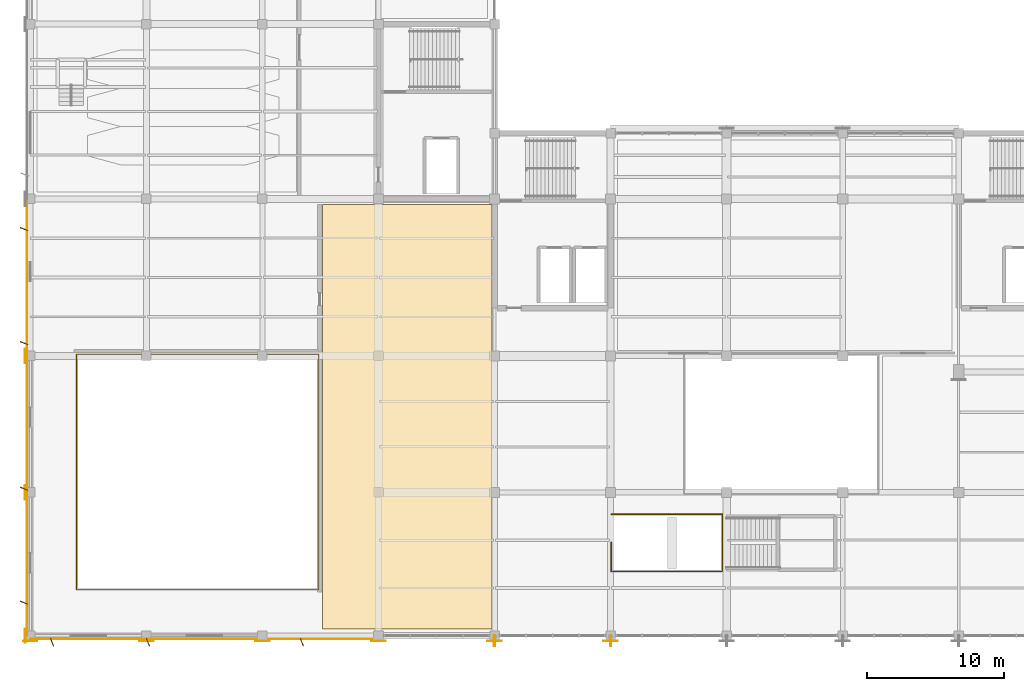
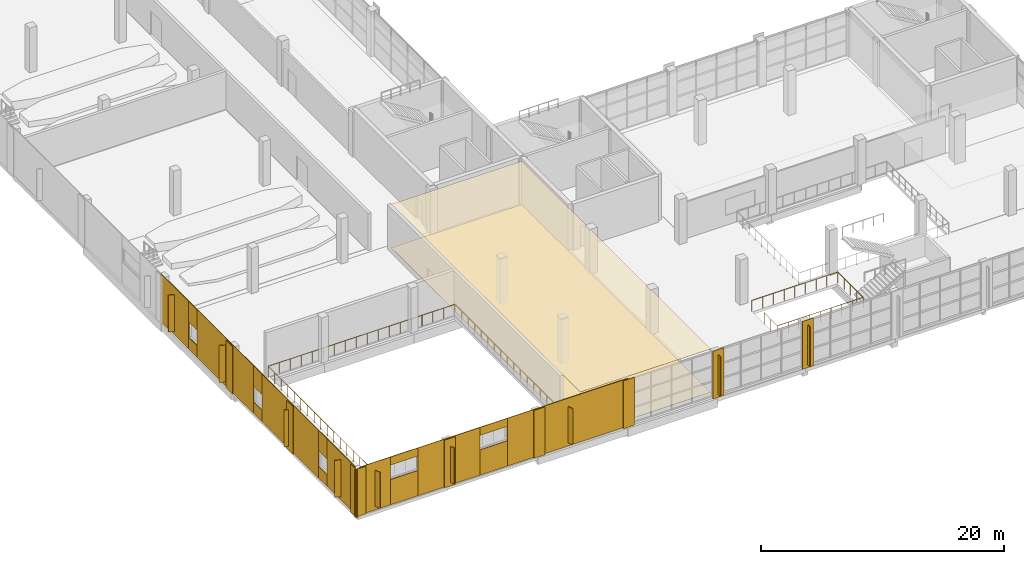
# One storey, part 99 of 112: 35 coverings, 2 railings, 2 shading devices.
"""IFC4 building model written with IfcOpenShell, lengths in metres."""

from ifc_helpers import new_model, si_unit, direction, frame, origin, origin_2d, place, context, subcontext, project, spatial, polyline, rectangle, hollow_rectangle, circle, outline, extrude, material, layer, layer_set, material_profile, profile_set, type_object, element, save


model = new_model("IFC4")

# Units and contexts
model_context = context("Model", 3, precision=1e-05, world=origin(), true_north=direction((0.0, 1.0)))
body_context = subcontext(model_context, "Body", "Model", "MODEL_VIEW")
ifc_project = project(units=[si_unit("LENGTHUNIT", "METRE"), si_unit("AREAUNIT", "SQUARE_METRE"), si_unit("VOLUMEUNIT", "CUBIC_METRE"), si_unit("PLANEANGLEUNIT", "RADIAN"), si_unit("MASSUNIT", "GRAM", prefix="KILO")], contexts=[model_context])

# Site, building, storey
site_placement = place(None, origin())
site = spatial("IfcSite", under=ifc_project, at=site_placement, CompositionType="ELEMENT")
building_placement = place(site_placement, origin())
building = spatial("IfcBuilding", under=site, at=building_placement, Name="Solvikara Media Centre", CompositionType="ELEMENT")
storey_placement = place(building_placement, frame((0.0, 0.0, 5.39990234375)))
storey = spatial("IfcBuildingStorey", under=building, at=storey_placement, Name="L01", CompositionType="ELEMENT", Elevation=5.39990234375)

# Coverings
ifc_material_1 = material(Name="Perforated acoustic gypsum ceiling board")
ifc_layer_1 = layer(ifc_material_1, 0.0400390625)
ifc_layer_set_1 = layer_set([ifc_layer_1], Name="Perforated acoustic gypsum ceiling board")
covering_type_1 = type_object("IfcCoveringType", Name="CV-01", PredefinedType="CEILING", material=ifc_layer_set_1)
covering_1_placement = place(storey_placement, frame((0.0, 0.0, 4.35009765625)))
element("IfcCovering", 1, at=covering_1_placement, inside=storey, type_object=covering_type_1, Name="CLG-016", PredefinedType="CEILING", context=body_context, shape_type="SweptSolid", body=[
    extrude(outline(polyline([(21.39990234375, 0.5), (33.800048828125, 0.5), (33.800048828125, 31.60009765625), (21.39990234375, 31.60009765625), (21.39990234375, 0.5)])), origin(), (0.0, 0.0, 1.0), 0.0400390625),
])
ifc_material_2 = material(Name="Polished terrazzo floor finish")
ifc_layer_2 = layer(ifc_material_2, 0.030029296875)
ifc_layer_set_2 = layer_set([ifc_layer_2], Name="Polished terrazzo floor finish")
covering_type_2 = type_object("IfcCoveringType", Name="CV-02", PredefinedType="FLOORING", material=ifc_layer_set_2)
covering_2_placement = place(storey_placement, origin())
element("IfcCovering", 2, at=covering_2_placement, inside=storey, type_object=covering_type_2, Name="FLR-016", PredefinedType="FLOORING", context=body_context, shape_type="SweptSolid", body=[
    extrude(outline(polyline([(21.39990234375, 0.5), (33.800048828125, 0.5), (33.800048828125, 31.60009765625), (21.39990234375, 31.60009765625), (21.39990234375, 0.5)])), origin(), (0.0, 0.0, 1.0), 0.030029296875),
])
ifc_material_3 = material(Name="GFRC white mineral architectural rainscreen panel")
ifc_layer_3 = layer(ifc_material_3, 0.050048828125)
ifc_layer_set_3 = layer_set([ifc_layer_3], Name="GFRC white mineral architectural rainscreen panel")
covering_type_3 = type_object("IfcCoveringType", Name="CV-04", PredefinedType="CLADDING", material=ifc_layer_set_3)
for number, where, z_axis, x_axis, name in (
    (3, (-0.375, 0.0, 0.0), (0.0, 0.0, 1.0), (0.0, -1.0, 0.0), "PIL-L01-003"),
    (4, (0.0, -0.375, 0.0), (0.0, 0.0, 1.0), (1.0, 0.0, 0.0), "PIL-L01-004"),
    (5, (-0.375, 10.5, 0.0), (0.0, 0.0, 1.0), (0.0, -1.0, 0.0), "PIL-L01-008"),
    (6, (-0.375, 20.5, 0.0), (0.0, 0.0, 1.0), (0.0, -1.0, 0.0), "PIL-L01-011"),
    (7, (8.5, -0.375, 0.0), (0.0, 0.0, 1.0), (1.0, 0.0, 0.0), "PIL-L01-049"),
    (8, (17.0, -0.375, 0.0), (0.0, 0.0, 1.0), (1.0, 0.0, 0.0), "PIL-L01-056"),
    (9, (25.5, -0.375, 0.0), (0.0, 0.0, 1.0), (1.0, 0.0, 0.0), "PIL-L01-063"),
    (10, (34.0, -0.375, 0.0), (0.0, 0.0, 1.0), (1.0, 0.0, 0.0), "PIL-L01-097"),
    (11, (42.5, -0.375, 0.0), (0.0, 0.0, 1.0), (1.0, 0.0, 0.0), "PIL-L01-108"),
):
    element("IfcCovering", number, at=place(storey_placement, frame(where, z_axis=z_axis, x_axis=x_axis)), inside=storey, type_object=covering_type_3, Name=name, PredefinedType="CLADDING", context=body_context, shape_type="SweptSolid", body=[
        extrude(rectangle(XDim=1.0400390625, YDim=0.050048828125, at=origin_2d()), origin(), (0.0, 0.0, 1.0), 4.800048828125),
    ])
covering_3_placement = place(storey_placement, frame((1.47509765625, -0.2451171875, 0.0), z_axis=(0.0, 0.0, 1.0), x_axis=(1.0, 0.0, 0.0)))
element("IfcCovering", 12, at=covering_3_placement, inside=storey, type_object=covering_type_3, Name="L01-V1S-CV-F01", PredefinedType="CLADDING", context=body_context, shape_type="SweptSolid", body=[
    extrude(rectangle(XDim=2.949951171875, YDim=0.050048828125, at=origin_2d()), origin(), (0.0, 0.0, 1.0), 4.800048828125),
])
covering_4_placement = place(storey_placement, frame((1.5849609375, -0.469970703125, 0.35009765625), z_axis=(0.0, 0.0, 1.0), x_axis=(0.3656566557, -0.930749810713, 0.0)))
element("IfcCovering", 13, at=covering_4_placement, inside=storey, type_object=covering_type_3, Name="L01-V1S-FIN-01", PredefinedType="CLADDING", context=body_context, shape_type="SweptSolid", body=[
    extrude(rectangle(XDim=0.60205078125, YDim=0.050048828125, at=origin_2d()), origin(), (0.0, 0.0, 1.0), 3.6279296875),
])
covering_5_placement = place(storey_placement, frame((4.25, -0.2451171875, 0.0), z_axis=(0.0, 0.0, 1.0), x_axis=(1.0, 0.0, 0.0)))
element("IfcCovering", 14, at=covering_5_placement, inside=storey, type_object=covering_type_3, Name="L01-V1S-CV-S02", PredefinedType="CLADDING", context=body_context, shape_type="SweptSolid", body=[
    extrude(rectangle(XDim=2.60009765625, YDim=0.050048828125, at=origin_2d()), origin(), (0.0, 0.0, 1.0), 2.5380859375),
])
covering_6_placement = place(storey_placement, frame((4.25, -0.2451171875, 3.998046875), z_axis=(0.0, 0.0, 1.0), x_axis=(1.0, 0.0, 0.0)))
element("IfcCovering", 15, at=covering_6_placement, inside=storey, type_object=covering_type_3, Name="L01-V1S-CV-H02", PredefinedType="CLADDING", context=body_context, shape_type="SweptSolid", body=[
    extrude(rectangle(XDim=2.60009765625, YDim=0.050048828125, at=origin_2d()), origin(), (0.0, 0.0, 1.0), 0.802001953125),
])
covering_7_placement = place(storey_placement, frame((8.5, -0.2451171875, 0.0), z_axis=(0.0, 0.0, 1.0), x_axis=(1.0, 0.0, 0.0)))
element("IfcCovering", 16, at=covering_7_placement, inside=storey, type_object=covering_type_3, Name="L01-V1S-CV-F03", PredefinedType="CLADDING", context=body_context, shape_type="SweptSolid", body=[
    extrude(rectangle(XDim=5.89990234375, YDim=0.050048828125, at=origin_2d()), origin(), (0.0, 0.0, 1.0), 4.800048828125),
])
covering_8_placement = place(storey_placement, frame((8.610107421875, -0.469970703125, 0.35009765625), z_axis=(0.0, 0.0, 1.0), x_axis=(0.3656566557, -0.930749810713, 0.0)))
element("IfcCovering", 17, at=covering_8_placement, inside=storey, type_object=covering_type_3, Name="L01-V1S-FIN-03", PredefinedType="CLADDING", context=body_context, shape_type="SweptSolid", body=[
    extrude(rectangle(XDim=0.60205078125, YDim=0.050048828125, at=origin_2d()), origin(), (0.0, 0.0, 1.0), 3.6279296875),
])
covering_9_placement = place(storey_placement, frame((12.75, -0.2451171875, 0.0), z_axis=(0.0, 0.0, 1.0), x_axis=(1.0, 0.0, 0.0)))
element("IfcCovering", 18, at=covering_9_placement, inside=storey, type_object=covering_type_3, Name="L01-V1S-CV-S04", PredefinedType="CLADDING", context=body_context, shape_type="SweptSolid", body=[
    extrude(rectangle(XDim=2.60009765625, YDim=0.050048828125, at=origin_2d()), origin(), (0.0, 0.0, 1.0), 2.5380859375),
])
covering_10_placement = place(storey_placement, frame((12.75, -0.2451171875, 3.998046875), z_axis=(0.0, 0.0, 1.0), x_axis=(1.0, 0.0, 0.0)))
element("IfcCovering", 19, at=covering_10_placement, inside=storey, type_object=covering_type_3, Name="L01-V1S-CV-H04", PredefinedType="CLADDING", context=body_context, shape_type="SweptSolid", body=[
    extrude(rectangle(XDim=2.60009765625, YDim=0.050048828125, at=origin_2d()), origin(), (0.0, 0.0, 1.0), 0.802001953125),
])
covering_11_placement = place(storey_placement, frame((19.77490234375, -0.2451171875, 0.0), z_axis=(0.0, 0.0, 1.0), x_axis=(1.0, 0.0, 0.0)))
element("IfcCovering", 20, at=covering_11_placement, inside=storey, type_object=covering_type_3, Name="L01-V1S-CV-F05", PredefinedType="CLADDING", context=body_context, shape_type="SweptSolid", body=[
    extrude(rectangle(XDim=11.449951171875, YDim=0.050048828125, at=origin_2d()), origin(), (0.0, 0.0, 1.0), 4.800048828125),
])
covering_12_placement = place(storey_placement, frame((19.885009765625, -0.469970703125, 0.35009765625), z_axis=(0.0, 0.0, 1.0), x_axis=(0.3656566557, -0.930749810713, 0.0)))
element("IfcCovering", 21, at=covering_12_placement, inside=storey, type_object=covering_type_3, Name="L01-V1S-FIN-05", PredefinedType="CLADDING", context=body_context, shape_type="SweptSolid", body=[
    extrude(rectangle(XDim=0.60205078125, YDim=0.050048828125, at=origin_2d()), origin(), (0.0, 0.0, 1.0), 3.6279296875),
])
covering_13_placement = place(storey_placement, frame((-0.2451171875, 2.31689453125, 0.0), z_axis=(0.0, 0.0, 1.0), x_axis=(0.0, 1.0, 0.0)))
element("IfcCovering", 22, at=covering_13_placement, inside=storey, type_object=covering_type_3, Name="L01-V1W-CV-F01", PredefinedType="CLADDING", context=body_context, shape_type="SweptSolid", body=[
    extrude(rectangle(XDim=4.633056640625, YDim=0.050048828125, at=origin_2d()), origin(), (0.0, 0.0, 1.0), 4.800048828125),
])
covering_14_placement = place(storey_placement, frame((-0.469970703125, 2.427001953125, 0.35009765625), z_axis=(0.0, 0.0, 1.0), x_axis=(-0.930749810713, 0.3656566557, 0.0)))
element("IfcCovering", 23, at=covering_14_placement, inside=storey, type_object=covering_type_3, Name="L01-V1W-FIN-01", PredefinedType="CLADDING", context=body_context, shape_type="SweptSolid", body=[
    extrude(rectangle(XDim=0.60205078125, YDim=0.050048828125, at=origin_2d()), origin(), (0.0, 0.0, 1.0), 3.7080078125),
])
covering_15_placement = place(storey_placement, frame((-0.2451171875, 5.3330078125, 0.000244140625), z_axis=(0.0, 0.0, 1.0), x_axis=(0.0, 1.0, 0.0)))
element("IfcCovering", 24, at=covering_15_placement, inside=storey, type_object=covering_type_3, Name="L01-V1W-CV-S02", PredefinedType="CLADDING", context=body_context, shape_type="SweptSolid", body=[
    extrude(rectangle(XDim=1.39990234375, YDim=0.050048828125, at=origin_2d()), origin(), (0.0, 0.0, 1.0), 1.169921875),
])
covering_16_placement = place(storey_placement, frame((-0.2451171875, 5.3330078125, 2.72998046875), z_axis=(0.0, 0.0, 1.0), x_axis=(0.0, 1.0, 0.0)))
element("IfcCovering", 25, at=covering_16_placement, inside=storey, type_object=covering_type_3, Name="L01-V1W-CV-H02", PredefinedType="CLADDING", context=body_context, shape_type="SweptSolid", body=[
    extrude(rectangle(XDim=1.39990234375, YDim=0.050048828125, at=origin_2d()), origin(), (0.0, 0.0, 1.0), 2.070068359375),
])
covering_17_placement = place(storey_placement, frame((-0.2451171875, 10.6669921875, 0.0), z_axis=(0.0, 0.0, 1.0), x_axis=(0.0, 1.0, 0.0)))
element("IfcCovering", 26, at=covering_17_placement, inside=storey, type_object=covering_type_3, Name="L01-V1W-CV-F03", PredefinedType="CLADDING", context=body_context, shape_type="SweptSolid", body=[
    extrude(rectangle(XDim=9.26708984375, YDim=0.050048828125, at=origin_2d()), origin(), (0.0, 0.0, 1.0), 4.800048828125),
])
covering_18_placement = place(storey_placement, frame((-0.469970703125, 10.777099609375, 0.35009765625), z_axis=(0.0, 0.0, 1.0), x_axis=(-0.930749810713, 0.3656566557, 0.0)))
element("IfcCovering", 27, at=covering_18_placement, inside=storey, type_object=covering_type_3, Name="L01-V1W-FIN-03", PredefinedType="CLADDING", context=body_context, shape_type="SweptSolid", body=[
    extrude(rectangle(XDim=0.60205078125, YDim=0.050048828125, at=origin_2d()), origin(), (0.0, 0.0, 1.0), 3.7080078125),
])
covering_19_placement = place(storey_placement, frame((-0.2451171875, 16.0, 0.000244140625), z_axis=(0.0, 0.0, 1.0), x_axis=(0.0, 1.0, 0.0)))
element("IfcCovering", 28, at=covering_19_placement, inside=storey, type_object=covering_type_3, Name="L01-V1W-CV-S04", PredefinedType="CLADDING", context=body_context, shape_type="SweptSolid", body=[
    extrude(rectangle(XDim=1.39990234375, YDim=0.050048828125, at=origin_2d()), origin(), (0.0, 0.0, 1.0), 1.169921875),
])
covering_20_placement = place(storey_placement, frame((-0.2451171875, 16.0, 2.72998046875), z_axis=(0.0, 0.0, 1.0), x_axis=(0.0, 1.0, 0.0)))
element("IfcCovering", 29, at=covering_20_placement, inside=storey, type_object=covering_type_3, Name="L01-V1W-CV-H04", PredefinedType="CLADDING", context=body_context, shape_type="SweptSolid", body=[
    extrude(rectangle(XDim=1.39990234375, YDim=0.050048828125, at=origin_2d()), origin(), (0.0, 0.0, 1.0), 2.070068359375),
])
covering_21_placement = place(storey_placement, frame((-0.2451171875, 21.333984375, 0.0), z_axis=(0.0, 0.0, 1.0), x_axis=(0.0, 1.0, 0.0)))
element("IfcCovering", 30, at=covering_21_placement, inside=storey, type_object=covering_type_3, Name="L01-V1W-CV-F05", PredefinedType="CLADDING", context=body_context, shape_type="SweptSolid", body=[
    extrude(rectangle(XDim=9.26708984375, YDim=0.050048828125, at=origin_2d()), origin(), (0.0, 0.0, 1.0), 4.800048828125),
])
covering_22_placement = place(storey_placement, frame((-0.469970703125, 21.444091796875, 0.35009765625), z_axis=(0.0, 0.0, 1.0), x_axis=(-0.930749810713, 0.3656566557, 0.0)))
element("IfcCovering", 31, at=covering_22_placement, inside=storey, type_object=covering_type_3, Name="L01-V1W-FIN-05", PredefinedType="CLADDING", context=body_context, shape_type="SweptSolid", body=[
    extrude(rectangle(XDim=0.60205078125, YDim=0.050048828125, at=origin_2d()), origin(), (0.0, 0.0, 1.0), 3.7080078125),
])
covering_23_placement = place(storey_placement, frame((-0.2451171875, 26.6669921875, 0.000244140625), z_axis=(0.0, 0.0, 1.0), x_axis=(0.0, 1.0, 0.0)))
element("IfcCovering", 32, at=covering_23_placement, inside=storey, type_object=covering_type_3, Name="L01-V1W-CV-S06", PredefinedType="CLADDING", context=body_context, shape_type="SweptSolid", body=[
    extrude(rectangle(XDim=1.39990234375, YDim=0.050048828125, at=origin_2d()), origin(), (0.0, 0.0, 1.0), 1.169921875),
])
covering_24_placement = place(storey_placement, frame((-0.2451171875, 26.6669921875, 2.72998046875), z_axis=(0.0, 0.0, 1.0), x_axis=(0.0, 1.0, 0.0)))
element("IfcCovering", 33, at=covering_24_placement, inside=storey, type_object=covering_type_3, Name="L01-V1W-CV-H06", PredefinedType="CLADDING", context=body_context, shape_type="SweptSolid", body=[
    extrude(rectangle(XDim=1.39990234375, YDim=0.050048828125, at=origin_2d()), origin(), (0.0, 0.0, 1.0), 2.070068359375),
])
covering_25_placement = place(storey_placement, frame((-0.2451171875, 29.68408203125, 0.0), z_axis=(0.0, 0.0, 1.0), x_axis=(0.0, 1.0, 0.0)))
element("IfcCovering", 34, at=covering_25_placement, inside=storey, type_object=covering_type_3, Name="L01-V1W-CV-F07", PredefinedType="CLADDING", context=body_context, shape_type="SweptSolid", body=[
    extrude(rectangle(XDim=4.633056640625, YDim=0.050048828125, at=origin_2d()), origin(), (0.0, 0.0, 1.0), 4.800048828125),
])
covering_26_placement = place(storey_placement, frame((-0.469970703125, 29.7939453125, 0.35009765625), z_axis=(0.0, 0.0, 1.0), x_axis=(-0.930749810713, 0.3656566557, 0.0)))
element("IfcCovering", 35, at=covering_26_placement, inside=storey, type_object=covering_type_3, Name="L01-V1W-FIN-07", PredefinedType="CLADDING", context=body_context, shape_type="SweptSolid", body=[
    extrude(rectangle(XDim=0.60205078125, YDim=0.050048828125, at=origin_2d()), origin(), (0.0, 0.0, 1.0), 3.7080078125),
])

# Railings
ifc_material_4 = material(Name="Steel S355JR", Category="steel")
railing_type = type_object("IfcRailingType", Name="GR-02", PredefinedType="BALUSTRADE", material=ifc_material_4)
railing_1_placement = place(storey_placement, frame((42.550048828125, 6.85009765625, 0.0)))
element("IfcRailing", 36, at=railing_1_placement, inside=storey, type_object=railing_type, Name="GR-FOYW-L01", PredefinedType="BALUSTRADE", context=body_context, shape_type="SweptSolid", body=[
    extrude(circle(Radius=0.02392578125, at=origin_2d()), frame((0.0, 0.0, 1.09619140625), z_axis=(0.0, -1.0, 0.0), x_axis=(1.0, 0.0, 0.0)), (0.0, 0.0, 1.0), 2.150146484375),
    extrude(circle(Radius=0.02392578125, at=origin_2d()), frame((0.0, -2.150146484375, 1.09619140625), z_axis=(1.0, 0.0, 0.0), x_axis=(0.0, 1.0, 0.0)), (0.0, 0.0, 1.0), 8.14990234375),
    extrude(circle(Radius=0.02392578125, at=origin_2d()), frame((8.14990234375, -2.150146484375, 1.09619140625), z_axis=(0.0, 1.0, 0.0), x_axis=(-1.0, 0.0, 0.0)), (0.0, 0.0, 1.0), 4.199951171875),
    extrude(circle(Radius=0.02392578125, at=origin_2d()), frame((8.14990234375, 2.0498046875, 1.09619140625), z_axis=(-1.0, 0.0, 0.0), x_axis=(0.0, -1.0, 0.0)), (0.0, 0.0, 1.0), 8.14990234375),
    extrude(circle(Radius=0.02099609375, at=origin_2d()), origin(), (0.0, 0.0, 1.0), 1.072021484375),
    extrude(circle(Radius=0.02099609375, at=origin_2d()), frame((0.0, -1.0751953125, 0.0)), (0.0, 0.0, 1.0), 1.072021484375),
    extrude(circle(Radius=0.02099609375, at=origin_2d()), frame((0.0, -2.150146484375, 0.0)), (0.0, 0.0, 1.0), 1.072021484375),
    extrude(circle(Radius=0.02099609375, at=origin_2d()), frame((1.018798828125, -2.150146484375, 0.0)), (0.0, 0.0, 1.0), 1.072021484375),
    extrude(circle(Radius=0.02099609375, at=origin_2d()), frame((2.03759765625, -2.150146484375, 0.0)), (0.0, 0.0, 1.0), 1.072021484375),
    extrude(circle(Radius=0.02099609375, at=origin_2d()), frame((3.05615234375, -2.150146484375, 0.0)), (0.0, 0.0, 1.0), 1.072021484375),
    extrude(circle(Radius=0.02099609375, at=origin_2d()), frame((4.074951171875, -2.150146484375, 0.0)), (0.0, 0.0, 1.0), 1.072021484375),
    extrude(circle(Radius=0.02099609375, at=origin_2d()), frame((5.09375, -2.150146484375, 0.0)), (0.0, 0.0, 1.0), 1.072021484375),
    extrude(circle(Radius=0.02099609375, at=origin_2d()), frame((6.1123046875, -2.150146484375, 0.0)), (0.0, 0.0, 1.0), 1.072021484375),
    extrude(circle(Radius=0.02099609375, at=origin_2d()), frame((7.131103515625, -2.150146484375, 0.0)), (0.0, 0.0, 1.0), 1.072021484375),
    extrude(circle(Radius=0.02099609375, at=origin_2d()), frame((8.14990234375, -2.150146484375, 0.0)), (0.0, 0.0, 1.0), 1.072021484375),
    extrude(circle(Radius=0.02099609375, at=origin_2d()), frame((8.14990234375, -1.10009765625, 0.0)), (0.0, 0.0, 1.0), 1.072021484375),
    extrude(circle(Radius=0.02099609375, at=origin_2d()), frame((8.14990234375, -0.05029296875, 0.0)), (0.0, 0.0, 1.0), 1.072021484375),
    extrude(circle(Radius=0.02099609375, at=origin_2d()), frame((8.14990234375, 0.999755859375, 0.0)), (0.0, 0.0, 1.0), 1.072021484375),
    extrude(circle(Radius=0.02099609375, at=origin_2d()), frame((8.14990234375, 2.0498046875, 0.0)), (0.0, 0.0, 1.0), 1.072021484375),
    extrude(circle(Radius=0.02099609375, at=origin_2d()), frame((7.131103515625, 2.0498046875, 0.0)), (0.0, 0.0, 1.0), 1.072021484375),
    extrude(circle(Radius=0.02099609375, at=origin_2d()), frame((6.1123046875, 2.0498046875, 0.0)), (0.0, 0.0, 1.0), 1.072021484375),
    extrude(circle(Radius=0.02099609375, at=origin_2d()), frame((5.09375, 2.0498046875, 0.0)), (0.0, 0.0, 1.0), 1.072021484375),
    extrude(circle(Radius=0.02099609375, at=origin_2d()), frame((4.074951171875, 2.0498046875, 0.0)), (0.0, 0.0, 1.0), 1.072021484375),
    extrude(circle(Radius=0.02099609375, at=origin_2d()), frame((3.05615234375, 2.0498046875, 0.0)), (0.0, 0.0, 1.0), 1.072021484375),
    extrude(circle(Radius=0.02099609375, at=origin_2d()), frame((2.03759765625, 2.0498046875, 0.0)), (0.0, 0.0, 1.0), 1.072021484375),
    extrude(circle(Radius=0.02099609375, at=origin_2d()), frame((1.018798828125, 2.0498046875, 0.0)), (0.0, 0.0, 1.0), 1.072021484375),
    extrude(circle(Radius=0.02099609375, at=origin_2d()), frame((0.0, 2.0498046875, 0.0)), (0.0, 0.0, 1.0), 1.072021484375),
])
railing_2_placement = place(storey_placement, frame((3.3798828125, 3.3798828125, 0.0)))
element("IfcRailing", 37, at=railing_2_placement, inside=storey, type_object=railing_type, Name="GR-CIN-L01", PredefinedType="BALUSTRADE", context=body_context, shape_type="SweptSolid", body=[
    extrude(circle(Radius=0.02392578125, at=origin_2d()), frame((0.0, 0.0, 1.09619140625), z_axis=(1.0, 0.0, 0.0), x_axis=(0.0, 1.0, 0.0)), (0.0, 0.0, 1.0), 17.740234375),
    extrude(circle(Radius=0.02392578125, at=origin_2d()), frame((17.740234375, 0.0, 1.09619140625), z_axis=(0.0, 1.0, 0.0), x_axis=(-1.0, 0.0, 0.0)), (0.0, 0.0, 1.0), 17.240234375),
    extrude(circle(Radius=0.02392578125, at=origin_2d()), frame((17.740234375, 17.240234375, 1.09619140625), z_axis=(-1.0, 0.0, 0.0), x_axis=(0.0, -1.0, 0.0)), (0.0, 0.0, 1.0), 17.740234375),
    extrude(circle(Radius=0.02392578125, at=origin_2d()), frame((0.0, 17.240234375, 1.09619140625), z_axis=(0.0, -1.0, 0.0), x_axis=(1.0, 0.0, 0.0)), (0.0, 0.0, 1.0), 17.240234375),
    extrude(circle(Radius=0.02099609375, at=origin_2d()), origin(), (0.0, 0.0, 1.0), 1.072021484375),
    extrude(circle(Radius=0.02099609375, at=origin_2d()), frame((1.04345703125, 0.0, 0.0)), (0.0, 0.0, 1.0), 1.072021484375),
    extrude(circle(Radius=0.02099609375, at=origin_2d()), frame((2.087158203125, 0.0, 0.0)), (0.0, 0.0, 1.0), 1.072021484375),
    extrude(circle(Radius=0.02099609375, at=origin_2d()), frame((3.130615234375, 0.0, 0.0)), (0.0, 0.0, 1.0), 1.072021484375),
    extrude(circle(Radius=0.02099609375, at=origin_2d()), frame((4.174072265625, 0.0, 0.0)), (0.0, 0.0, 1.0), 1.072021484375),
    extrude(circle(Radius=0.02099609375, at=origin_2d()), frame((5.2177734375, 0.0, 0.0)), (0.0, 0.0, 1.0), 1.072021484375),
    extrude(circle(Radius=0.02099609375, at=origin_2d()), frame((6.26123046875, 0.0, 0.0)), (0.0, 0.0, 1.0), 1.072021484375),
    extrude(circle(Radius=0.02099609375, at=origin_2d()), frame((7.3046875, 0.0, 0.0)), (0.0, 0.0, 1.0), 1.072021484375),
    extrude(circle(Radius=0.02099609375, at=origin_2d()), frame((8.348388671875, 0.0, 0.0)), (0.0, 0.0, 1.0), 1.072021484375),
    extrude(circle(Radius=0.02099609375, at=origin_2d()), frame((9.391845703125, 0.0, 0.0)), (0.0, 0.0, 1.0), 1.072021484375),
    extrude(circle(Radius=0.02099609375, at=origin_2d()), frame((10.435546875, 0.0, 0.0)), (0.0, 0.0, 1.0), 1.072021484375),
    extrude(circle(Radius=0.02099609375, at=origin_2d()), frame((11.47900390625, 0.0, 0.0)), (0.0, 0.0, 1.0), 1.072021484375),
    extrude(circle(Radius=0.02099609375, at=origin_2d()), frame((12.5224609375, 0.0, 0.0)), (0.0, 0.0, 1.0), 1.072021484375),
    extrude(circle(Radius=0.02099609375, at=origin_2d()), frame((13.566162109375, 0.0, 0.0)), (0.0, 0.0, 1.0), 1.072021484375),
    extrude(circle(Radius=0.02099609375, at=origin_2d()), frame((14.609619140625, 0.0, 0.0)), (0.0, 0.0, 1.0), 1.072021484375),
    extrude(circle(Radius=0.02099609375, at=origin_2d()), frame((15.653076171875, 0.0, 0.0)), (0.0, 0.0, 1.0), 1.072021484375),
    extrude(circle(Radius=0.02099609375, at=origin_2d()), frame((16.69677734375, 0.0, 0.0)), (0.0, 0.0, 1.0), 1.072021484375),
    extrude(circle(Radius=0.02099609375, at=origin_2d()), frame((17.740234375, 0.0, 0.0)), (0.0, 0.0, 1.0), 1.072021484375),
    extrude(circle(Radius=0.02099609375, at=origin_2d()), frame((17.740234375, 1.07763671875, 0.0)), (0.0, 0.0, 1.0), 1.072021484375),
    extrude(circle(Radius=0.02099609375, at=origin_2d()), frame((17.740234375, 2.155029296875, 0.0)), (0.0, 0.0, 1.0), 1.072021484375),
    extrude(circle(Radius=0.02099609375, at=origin_2d()), frame((17.740234375, 3.232421875, 0.0)), (0.0, 0.0, 1.0), 1.072021484375),
    extrude(circle(Radius=0.02099609375, at=origin_2d()), frame((17.740234375, 4.31005859375, 0.0)), (0.0, 0.0, 1.0), 1.072021484375),
    extrude(circle(Radius=0.02099609375, at=origin_2d()), frame((17.740234375, 5.3876953125, 0.0)), (0.0, 0.0, 1.0), 1.072021484375),
    extrude(circle(Radius=0.02099609375, at=origin_2d()), frame((17.740234375, 6.465087890625, 0.0)), (0.0, 0.0, 1.0), 1.072021484375),
    extrude(circle(Radius=0.02099609375, at=origin_2d()), frame((17.740234375, 7.54248046875, 0.0)), (0.0, 0.0, 1.0), 1.072021484375),
    extrude(circle(Radius=0.02099609375, at=origin_2d()), frame((17.740234375, 8.6201171875, 0.0)), (0.0, 0.0, 1.0), 1.072021484375),
    extrude(circle(Radius=0.02099609375, at=origin_2d()), frame((17.740234375, 9.69775390625, 0.0)), (0.0, 0.0, 1.0), 1.072021484375),
    extrude(circle(Radius=0.02099609375, at=origin_2d()), frame((17.740234375, 10.775146484375, 0.0)), (0.0, 0.0, 1.0), 1.072021484375),
    extrude(circle(Radius=0.02099609375, at=origin_2d()), frame((17.740234375, 11.8525390625, 0.0)), (0.0, 0.0, 1.0), 1.072021484375),
    extrude(circle(Radius=0.02099609375, at=origin_2d()), frame((17.740234375, 12.93017578125, 0.0)), (0.0, 0.0, 1.0), 1.072021484375),
    extrude(circle(Radius=0.02099609375, at=origin_2d()), frame((17.740234375, 14.0078125, 0.0)), (0.0, 0.0, 1.0), 1.072021484375),
    extrude(circle(Radius=0.02099609375, at=origin_2d()), frame((17.740234375, 15.085205078125, 0.0)), (0.0, 0.0, 1.0), 1.072021484375),
    extrude(circle(Radius=0.02099609375, at=origin_2d()), frame((17.740234375, 16.16259765625, 0.0)), (0.0, 0.0, 1.0), 1.072021484375),
    extrude(circle(Radius=0.02099609375, at=origin_2d()), frame((17.740234375, 17.240234375, 0.0)), (0.0, 0.0, 1.0), 1.072021484375),
    extrude(circle(Radius=0.02099609375, at=origin_2d()), frame((16.69677734375, 17.240234375, 0.0)), (0.0, 0.0, 1.0), 1.072021484375),
    extrude(circle(Radius=0.02099609375, at=origin_2d()), frame((15.653076171875, 17.240234375, 0.0)), (0.0, 0.0, 1.0), 1.072021484375),
    extrude(circle(Radius=0.02099609375, at=origin_2d()), frame((14.609619140625, 17.240234375, 0.0)), (0.0, 0.0, 1.0), 1.072021484375),
    extrude(circle(Radius=0.02099609375, at=origin_2d()), frame((13.566162109375, 17.240234375, 0.0)), (0.0, 0.0, 1.0), 1.072021484375),
    extrude(circle(Radius=0.02099609375, at=origin_2d()), frame((12.5224609375, 17.240234375, 0.0)), (0.0, 0.0, 1.0), 1.072021484375),
    extrude(circle(Radius=0.02099609375, at=origin_2d()), frame((11.47900390625, 17.240234375, 0.0)), (0.0, 0.0, 1.0), 1.072021484375),
    extrude(circle(Radius=0.02099609375, at=origin_2d()), frame((10.435546875, 17.240234375, 0.0)), (0.0, 0.0, 1.0), 1.072021484375),
    extrude(circle(Radius=0.02099609375, at=origin_2d()), frame((9.391845703125, 17.240234375, 0.0)), (0.0, 0.0, 1.0), 1.072021484375),
    extrude(circle(Radius=0.02099609375, at=origin_2d()), frame((8.348388671875, 17.240234375, 0.0)), (0.0, 0.0, 1.0), 1.072021484375),
    extrude(circle(Radius=0.02099609375, at=origin_2d()), frame((7.3046875, 17.240234375, 0.0)), (0.0, 0.0, 1.0), 1.072021484375),
    extrude(circle(Radius=0.02099609375, at=origin_2d()), frame((6.26123046875, 17.240234375, 0.0)), (0.0, 0.0, 1.0), 1.072021484375),
    extrude(circle(Radius=0.02099609375, at=origin_2d()), frame((5.2177734375, 17.240234375, 0.0)), (0.0, 0.0, 1.0), 1.072021484375),
    extrude(circle(Radius=0.02099609375, at=origin_2d()), frame((4.174072265625, 17.240234375, 0.0)), (0.0, 0.0, 1.0), 1.072021484375),
    extrude(circle(Radius=0.02099609375, at=origin_2d()), frame((3.130615234375, 17.240234375, 0.0)), (0.0, 0.0, 1.0), 1.072021484375),
    extrude(circle(Radius=0.02099609375, at=origin_2d()), frame((2.087158203125, 17.240234375, 0.0)), (0.0, 0.0, 1.0), 1.072021484375),
    extrude(circle(Radius=0.02099609375, at=origin_2d()), frame((1.04345703125, 17.240234375, 0.0)), (0.0, 0.0, 1.0), 1.072021484375),
    extrude(circle(Radius=0.02099609375, at=origin_2d()), frame((0.0, 17.240234375, 0.0)), (0.0, 0.0, 1.0), 1.072021484375),
    extrude(circle(Radius=0.02099609375, at=origin_2d()), frame((0.0, 16.16259765625, 0.0)), (0.0, 0.0, 1.0), 1.072021484375),
    extrude(circle(Radius=0.02099609375, at=origin_2d()), frame((0.0, 15.085205078125, 0.0)), (0.0, 0.0, 1.0), 1.072021484375),
    extrude(circle(Radius=0.02099609375, at=origin_2d()), frame((0.0, 14.0078125, 0.0)), (0.0, 0.0, 1.0), 1.072021484375),
    extrude(circle(Radius=0.02099609375, at=origin_2d()), frame((0.0, 12.93017578125, 0.0)), (0.0, 0.0, 1.0), 1.072021484375),
    extrude(circle(Radius=0.02099609375, at=origin_2d()), frame((0.0, 11.8525390625, 0.0)), (0.0, 0.0, 1.0), 1.072021484375),
    extrude(circle(Radius=0.02099609375, at=origin_2d()), frame((0.0, 10.775146484375, 0.0)), (0.0, 0.0, 1.0), 1.072021484375),
    extrude(circle(Radius=0.02099609375, at=origin_2d()), frame((0.0, 9.69775390625, 0.0)), (0.0, 0.0, 1.0), 1.072021484375),
    extrude(circle(Radius=0.02099609375, at=origin_2d()), frame((0.0, 8.6201171875, 0.0)), (0.0, 0.0, 1.0), 1.072021484375),
    extrude(circle(Radius=0.02099609375, at=origin_2d()), frame((0.0, 7.54248046875, 0.0)), (0.0, 0.0, 1.0), 1.072021484375),
    extrude(circle(Radius=0.02099609375, at=origin_2d()), frame((0.0, 6.465087890625, 0.0)), (0.0, 0.0, 1.0), 1.072021484375),
    extrude(circle(Radius=0.02099609375, at=origin_2d()), frame((0.0, 5.3876953125, 0.0)), (0.0, 0.0, 1.0), 1.072021484375),
    extrude(circle(Radius=0.02099609375, at=origin_2d()), frame((0.0, 4.31005859375, 0.0)), (0.0, 0.0, 1.0), 1.072021484375),
    extrude(circle(Radius=0.02099609375, at=origin_2d()), frame((0.0, 3.232421875, 0.0)), (0.0, 0.0, 1.0), 1.072021484375),
    extrude(circle(Radius=0.02099609375, at=origin_2d()), frame((0.0, 2.155029296875, 0.0)), (0.0, 0.0, 1.0), 1.072021484375),
    extrude(circle(Radius=0.02099609375, at=origin_2d()), frame((0.0, 1.07763671875, 0.0)), (0.0, 0.0, 1.0), 1.072021484375),
])

# Shading devices
ifc_material_5 = material(Name="Anodised aluminium EN AW-6063", Category="aluminium")
ifc_material_profile = material_profile(ifc_material_5, hollow_rectangle(XDim=0.080078125, YDim=0.800048828125, WallThickness=0.00390625, at=origin_2d()), Name="ALU-FIN 80x800x4")
ifc_profile_set = profile_set([ifc_material_profile], Name="Anodised aluminium EN AW-6063")
shading_device_type = type_object("IfcShadingDeviceType", Name="SH-01", PredefinedType="USERDEFINED", material=ifc_profile_set)
for number, where, z_axis, x_axis, name in (
    (38, (34.0, -0.35009765625, 0.300048828125), (0.0, 0.0, 1.0), (1.0, 0.0, 0.0), "FIN-L01-001"),
    (39, (42.5, -0.35009765625, 0.300048828125), (0.0, 0.0, 1.0), (1.0, 0.0, 0.0), "FIN-L01-002"),
):
    element("IfcShadingDevice", number, at=place(storey_placement, frame(where, z_axis=z_axis, x_axis=x_axis)), inside=storey, type_object=shading_device_type, Name=name, ObjectType="FIN", PredefinedType="USERDEFINED", context=body_context, shape_type="SweptSolid", body=[
        extrude(hollow_rectangle(XDim=0.080078125, YDim=0.800048828125, WallThickness=0.00390625, at=origin_2d()), origin(), (0.0, 0.0, 1.0), 4.0),
    ])

save(model, "model.ifc")
